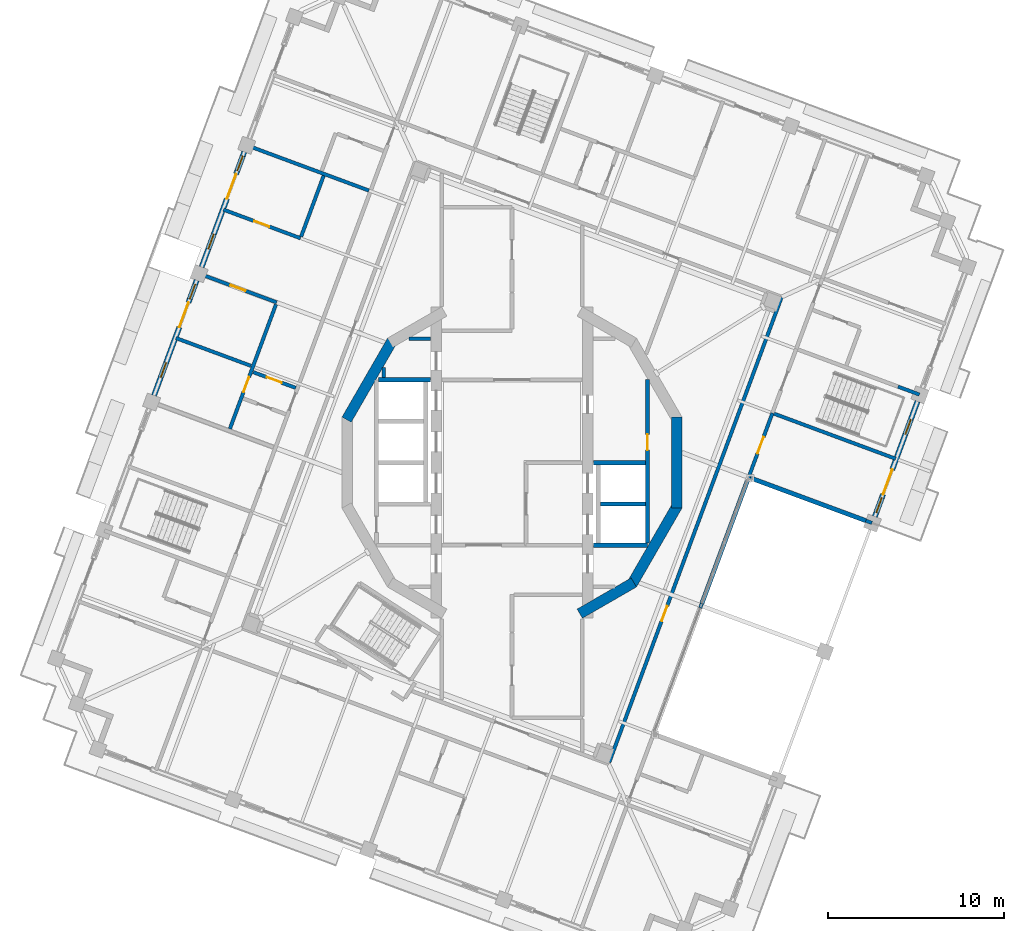
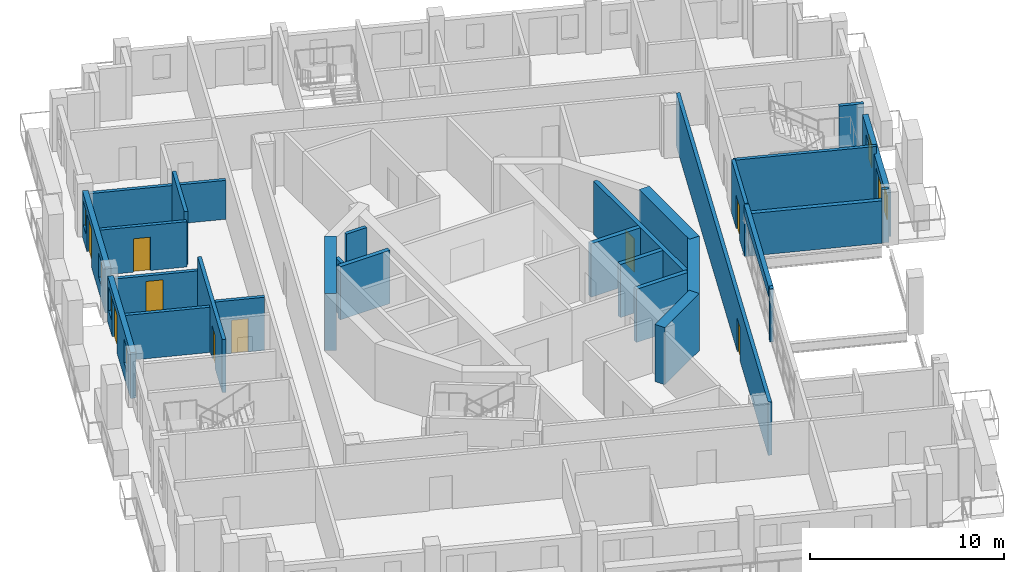
# One storey, part 8 of 19: 29 walls, 10 doors, 6 windows, 16 openings.
"""IFC4 building model written with IfcOpenShell, lengths in metres."""

from ifc_helpers import new_model, si_unit, direction, frame, frame_2d, origin, place, context, subcontext, project, spatial, rectangle, extrude, material, layer, layer_set, type_object, element, fill, save


model = new_model("IFC4")

# Units and contexts
model_context = context("Model", 3, precision=1e-05, world=origin(), true_north=direction((0.0, 1.0)))
body_context = subcontext(model_context, "Body", "Model", "MODEL_VIEW")
ifc_project = project(units=[si_unit("LENGTHUNIT", "METRE"), si_unit("AREAUNIT", "SQUARE_METRE"), si_unit("VOLUMEUNIT", "CUBIC_METRE"), si_unit("PLANEANGLEUNIT", "RADIAN"), si_unit("MASSUNIT", "GRAM", prefix="KILO")], contexts=[model_context])

# Site, building, storey
site_placement = place(None, origin())
site = spatial("IfcSite", under=ifc_project, at=site_placement, CompositionType="ELEMENT")
building_placement = place(site_placement, origin())
building = spatial("IfcBuilding", under=site, at=building_placement, Name="Cantera Rosa Tower", CompositionType="ELEMENT")
storey_placement = place(building_placement, frame((0.0, 0.0, 331.300048828125)))
storey = spatial("IfcBuildingStorey", under=building, at=storey_placement, Name="L74", CompositionType="ELEMENT", Elevation=331.300048828125)

# Wall, opening, door
ifc_material_1 = material(Name="Gypsum board partition")
ifc_layer_1 = layer(ifc_material_1, 0.199951171875)
ifc_layer_set_1 = layer_set([ifc_layer_1], Name="CORRIDOR WALL 200 H3350")
wall_type_1 = type_object("IfcWallType", Name="CORRIDOR WALL 200 H3350", PredefinedType="PARTITIONING", material=ifc_layer_set_1)
wall_1_placement = place(storey_placement, frame((5.526123046875, -17.031494140625, 0.0), z_axis=(0.0, 0.0, 1.0), x_axis=(0.347486069264, 0.937685145274, 0.0)))
wall_1 = element("IfcWall", 1, at=wall_1_placement, inside=storey, type_object=wall_type_1, Name="CORRIDOR WALL L74-085", PredefinedType="PARTITIONING", context=body_context, shape_type="SweptSolid", body=[
    extrude(rectangle(XDim=28.199951171875, YDim=0.199951171875, at=frame_2d((14.10009765625, 0.0))), origin(), (0.0, 0.0, 1.0), 3.349853515625),
])
opening_1_placement = place(wall_1_placement, frame((8.570068359375, 0.0, 0.0)))
opening_1 = element("IfcOpeningElement", 2, at=opening_1_placement, cuts=wall_1, Name="Opening L74-007", PredefinedType="OPENING", context=body_context, shape_type="SweptSolid", body=[
    extrude(rectangle(XDim=0.89990234375, YDim=2.10009765625, at=frame_2d((0.449951171875, 1.050048828125))), frame((0.0, 0.10986328125, 0.0), z_axis=(0.0, -1.0, 0.0), x_axis=(1.0, 0.0, 0.0)), (0.0, 0.0, 1.0), 0.219970703125),
])
ifc_material_2 = material(Name="Timber door leaf", Category="wood")
door_type_1 = type_object("IfcDoorType", Name="SERVICE DOOR 900x2100", OperationType="NOTDEFINED", PredefinedType="DOOR", material=ifc_material_2)
door_1_placement = place(opening_1_placement, origin())
door_1 = element("IfcDoor", 3, at=door_1_placement, inside=storey, type_object=door_type_1, Name="DOOR L74-007", OperationType="NOTDEFINED", OverallHeight=2.10009765625, OverallWidth=0.89990234375, PredefinedType="DOOR", context=body_context, shape_type="SweptSolid", body=[
    extrude(rectangle(XDim=0.89990234375, YDim=2.10009765625, at=frame_2d((0.449951171875, 1.050048828125))), frame((0.0, 0.02490234375, 0.0), z_axis=(0.0, -1.0, 0.0), x_axis=(1.0, 0.0, 0.0)), (0.0, 0.0, 1.0), 0.050048828125),
])
fill(opening_1, door_1)

# Wall
wall_2_placement = place(storey_placement, frame((10.69775390625, -8.256103515625, 0.0), z_axis=(0.0, 0.0, 1.0), x_axis=(0.347639521276, 0.937628264957, 0.0)))
element("IfcWall", 4, at=wall_2_placement, inside=storey, type_object=wall_type_1, Name="CORRIDOR WALL L74-091", PredefinedType="PARTITIONING", context=body_context, shape_type="SweptSolid", body=[
    extrude(rectangle(XDim=0.26904296875, YDim=0.199951171875, at=frame_2d((0.134521484375, 0.0))), origin(), (0.0, 0.0, 1.0), 3.349853515625),
])

# Wall, opening, door
wall_3_placement = place(storey_placement, frame((13.404296875, -0.9521484375, 0.0), z_axis=(0.0, 0.0, 1.0), x_axis=(0.347502485966, 0.937679061432, 0.0)))
wall_3 = element("IfcWall", 5, at=wall_3_placement, inside=storey, type_object=wall_type_1, Name="CORRIDOR WALL L74-092", PredefinedType="PARTITIONING", context=body_context, shape_type="SweptSolid", body=[
    extrude(rectangle(XDim=4.01513671875, YDim=0.199951171875, at=frame_2d((2.007568359375, 0.0))), origin(), (0.0, 0.0, 1.0), 3.349853515625),
])
opening_2_placement = place(wall_3_placement, frame((1.570068359375, 0.0, 0.0)))
opening_2 = element("IfcOpeningElement", 6, at=opening_2_placement, cuts=wall_3, Name="Opening L74-045", PredefinedType="OPENING", context=body_context, shape_type="SweptSolid", body=[
    extrude(rectangle(XDim=1.0, YDim=2.10009765625, at=frame_2d((0.5, 1.050048828125))), frame((0.0, 0.10986328125, 0.0), z_axis=(0.0, -1.0, 0.0), x_axis=(1.0, 0.0, 0.0)), (0.0, 0.0, 1.0), 0.219970703125),
])
ifc_material_3 = material(Name="Timber door leaf", Category="wood")
door_type_2 = type_object("IfcDoorType", Name="ROOM DOOR 1000x2100", OperationType="NOTDEFINED", PredefinedType="DOOR", material=ifc_material_3)
door_2_placement = place(opening_2_placement, origin())
door_2 = element("IfcDoor", 7, at=door_2_placement, inside=storey, type_object=door_type_2, Name="DOOR L74-045", OperationType="NOTDEFINED", OverallHeight=2.10009765625, OverallWidth=1.0, PredefinedType="DOOR", context=body_context, shape_type="SweptSolid", body=[
    extrude(rectangle(XDim=1.0, YDim=2.10009765625, at=frame_2d((0.5, 1.050048828125))), frame((0.0, 0.02490234375, 0.0), z_axis=(0.0, -1.0, 0.0), x_axis=(1.0, 0.0, 0.0)), (0.0, 0.0, 1.0), 0.050048828125),
])
fill(opening_2, door_2)

# Wall, openings, windows, door
ifc_material_4 = material(Name="Hollow clay masonry with cantera stone cladding", Category="masonry")
ifc_layer_2 = layer(ifc_material_4, 0.300048828125)
ifc_layer_set_2 = layer_set([ifc_layer_2], Name="EW-LOGGIA 300 H2890")
wall_type_2 = type_object("IfcWallType", Name="EW-LOGGIA 300 H2890", PredefinedType="SOLIDWALL", material=ifc_layer_set_2)
wall_4_placement = place(storey_placement, frame((-15.212646484375, 17.65625, 0.0), z_axis=(0.0, 0.0, 1.0), x_axis=(-0.347502316452, -0.937679124253, 0.0)))
wall_4 = element("IfcWall", 8, at=wall_4_placement, inside=storey, type_object=wall_type_2, Name="EN-L74-W08", PredefinedType="SOLIDWALL", context=body_context, shape_type="SweptSolid", body=[
    extrude(rectangle(XDim=6.97998046875, YDim=0.300048828125, at=frame_2d((3.489990234375, 0.0))), origin(), (0.0, 0.0, 1.0), 2.889892578125),
])
opening_3_placement = place(wall_4_placement, frame((0.2451171875, 0.0, 0.89990234375)))
opening_3 = element("IfcOpeningElement", 9, at=opening_3_placement, cuts=wall_4, Name="Opening L74-W16", PredefinedType="OPENING", context=body_context, shape_type="SweptSolid", body=[
    extrude(rectangle(XDim=0.89990234375, YDim=1.5, at=frame_2d((0.449951171875, 0.75))), frame((0.0, 0.159912109375, 0.0), z_axis=(0.0, -1.0, 0.0), x_axis=(1.0, 0.0, 0.0)), (0.0, 0.0, 1.0), 0.320068359375),
])
opening_4_placement = place(wall_4_placement, frame((1.344970703125, 0.0, 0.0)))
opening_4 = element("IfcOpeningElement", 10, at=opening_4_placement, cuts=wall_4, Name="Opening L74-TD17", PredefinedType="OPENING", context=body_context, shape_type="SweptSolid", body=[
    extrude(rectangle(XDim=1.5, YDim=2.39990234375, at=frame_2d((0.75, 1.199951171875))), frame((0.0, 0.159912109375, 0.0), z_axis=(0.0, -1.0, 0.0), x_axis=(1.0, 0.0, 0.0)), (0.0, 0.0, 1.0), 0.320068359375),
])
opening_5_placement = place(wall_4_placement, frame((4.985107421875, 0.0, 0.89990234375)))
opening_5 = element("IfcOpeningElement", 11, at=opening_5_placement, cuts=wall_4, Name="Opening L74-W18", PredefinedType="OPENING", context=body_context, shape_type="SweptSolid", body=[
    extrude(rectangle(XDim=0.89990234375, YDim=1.5, at=frame_2d((0.449951171875, 0.75))), frame((0.0, 0.159912109375, 0.0), z_axis=(0.0, -1.0, 0.0), x_axis=(1.0, 0.0, 0.0)), (0.0, 0.0, 1.0), 0.320068359375),
])
ifc_material_5 = material(Name="Aluminium frame with clear glass", Category="aluminium")
window_type = type_object("IfcWindowType", Name="Residential window 900x1500", PartitioningType="SINGLE_PANEL", PredefinedType="WINDOW", material=ifc_material_5)
window_1_placement = place(opening_3_placement, origin())
window_1 = element("IfcWindow", 12, at=window_1_placement, inside=storey, type_object=window_type, Name="WINDOW L74-W16", OverallHeight=1.5, OverallWidth=0.89990234375, PartitioningType="SINGLE_PANEL", PredefinedType="WINDOW", context=body_context, shape_type="SweptSolid", body=[
    extrude(rectangle(XDim=0.89990234375, YDim=1.5, at=frame_2d((0.449951171875, 0.75))), frame((0.0, 0.030029296875, 0.0), z_axis=(0.0, -1.0, 0.0), x_axis=(1.0, 0.0, 0.0)), (0.0, 0.0, 1.0), 0.06005859375),
])
fill(opening_3, window_1)
window_2_placement = place(opening_5_placement, origin())
window_2 = element("IfcWindow", 13, at=window_2_placement, inside=storey, type_object=window_type, Name="WINDOW L74-W18", OverallHeight=1.5, OverallWidth=0.89990234375, PartitioningType="SINGLE_PANEL", PredefinedType="WINDOW", context=body_context, shape_type="SweptSolid", body=[
    extrude(rectangle(XDim=0.89990234375, YDim=1.5, at=frame_2d((0.449951171875, 0.75))), frame((0.0, 0.030029296875, 0.0), z_axis=(0.0, -1.0, 0.0), x_axis=(1.0, 0.0, 0.0)), (0.0, 0.0, 1.0), 0.06005859375),
])
fill(opening_5, window_2)
ifc_material_6 = material(Name="Aluminium frame with clear glass", Category="aluminium")
door_type_3 = type_object("IfcDoorType", Name="TD-R 1500x2400", OperationType="NOTDEFINED", PredefinedType="DOOR", material=ifc_material_6)
door_3_placement = place(opening_4_placement, origin())
door_3 = element("IfcDoor", 14, at=door_3_placement, inside=storey, type_object=door_type_3, Name="LOGGIA DOOR L74-TD17", OperationType="SLIDING_TO_LEFT", OverallHeight=2.39990234375, OverallWidth=1.5, PredefinedType="DOOR", context=body_context, shape_type="SweptSolid", body=[
    extrude(rectangle(XDim=1.5, YDim=2.39990234375, at=frame_2d((0.75, 1.199951171875))), frame((0.0, 0.02490234375, 0.0), z_axis=(0.0, -1.0, 0.0), x_axis=(1.0, 0.0, 0.0)), (0.0, 0.0, 1.0), 0.050048828125),
])
fill(opening_4, door_3)

wall_5_placement = place(storey_placement, frame((-17.916015625, 10.361083984375, 0.0), z_axis=(0.0, 0.0, 1.0), x_axis=(-0.347502316452, -0.937679124253, 0.0)))
wall_5 = element("IfcWall", 15, at=wall_5_placement, inside=storey, type_object=wall_type_2, Name="EN-L74-W09", PredefinedType="SOLIDWALL", context=body_context, shape_type="SweptSolid", body=[
    extrude(rectangle(XDim=6.97998046875, YDim=0.300048828125, at=frame_2d((3.489990234375, 0.0))), origin(), (0.0, 0.0, 1.0), 2.889892578125),
])
opening_6_placement = place(wall_5_placement, frame((0.2451171875, 0.0, 0.89990234375)))
opening_6 = element("IfcOpeningElement", 16, at=opening_6_placement, cuts=wall_5, Name="Opening L74-W19", PredefinedType="OPENING", context=body_context, shape_type="SweptSolid", body=[
    extrude(rectangle(XDim=0.89990234375, YDim=1.5, at=frame_2d((0.449951171875, 0.75))), frame((0.0, 0.159912109375, 0.0), z_axis=(0.0, -1.0, 0.0), x_axis=(1.0, 0.0, 0.0)), (0.0, 0.0, 1.0), 0.320068359375),
])
opening_7_placement = place(wall_5_placement, frame((1.344970703125, 0.0, 0.0)))
opening_7 = element("IfcOpeningElement", 17, at=opening_7_placement, cuts=wall_5, Name="Opening L74-TD20", PredefinedType="OPENING", context=body_context, shape_type="SweptSolid", body=[
    extrude(rectangle(XDim=1.5, YDim=2.39990234375, at=frame_2d((0.75, 1.199951171875))), frame((0.0, 0.159912109375, 0.0), z_axis=(0.0, -1.0, 0.0), x_axis=(1.0, 0.0, 0.0)), (0.0, 0.0, 1.0), 0.320068359375),
])
opening_8_placement = place(wall_5_placement, frame((4.985107421875, 0.0, 0.89990234375)))
opening_8 = element("IfcOpeningElement", 18, at=opening_8_placement, cuts=wall_5, Name="Opening L74-W21", PredefinedType="OPENING", context=body_context, shape_type="SweptSolid", body=[
    extrude(rectangle(XDim=0.89990234375, YDim=1.5, at=frame_2d((0.449951171875, 0.75))), frame((0.0, 0.159912109375, 0.0), z_axis=(0.0, -1.0, 0.0), x_axis=(1.0, 0.0, 0.0)), (0.0, 0.0, 1.0), 0.320068359375),
])
window_3_placement = place(opening_6_placement, origin())
window_3 = element("IfcWindow", 19, at=window_3_placement, inside=storey, type_object=window_type, Name="WINDOW L74-W19", OverallHeight=1.5, OverallWidth=0.89990234375, PartitioningType="SINGLE_PANEL", PredefinedType="WINDOW", context=body_context, shape_type="SweptSolid", body=[
    extrude(rectangle(XDim=0.89990234375, YDim=1.5, at=frame_2d((0.449951171875, 0.75))), frame((0.0, 0.030029296875, 0.0), z_axis=(0.0, -1.0, 0.0), x_axis=(1.0, 0.0, 0.0)), (0.0, 0.0, 1.0), 0.06005859375),
])
fill(opening_6, window_3)
window_4_placement = place(opening_8_placement, origin())
window_4 = element("IfcWindow", 20, at=window_4_placement, inside=storey, type_object=window_type, Name="WINDOW L74-W21", OverallHeight=1.5, OverallWidth=0.89990234375, PartitioningType="SINGLE_PANEL", PredefinedType="WINDOW", context=body_context, shape_type="SweptSolid", body=[
    extrude(rectangle(XDim=0.89990234375, YDim=1.5, at=frame_2d((0.449951171875, 0.75))), frame((0.0, 0.030029296875, 0.0), z_axis=(0.0, -1.0, 0.0), x_axis=(1.0, 0.0, 0.0)), (0.0, 0.0, 1.0), 0.06005859375),
])
fill(opening_8, window_4)
door_4_placement = place(opening_7_placement, origin())
door_4 = element("IfcDoor", 21, at=door_4_placement, inside=storey, type_object=door_type_3, Name="LOGGIA DOOR L74-TD20", OperationType="SLIDING_TO_LEFT", OverallHeight=2.39990234375, OverallWidth=1.5, PredefinedType="DOOR", context=body_context, shape_type="SweptSolid", body=[
    extrude(rectangle(XDim=1.5, YDim=2.39990234375, at=frame_2d((0.75, 1.199951171875))), frame((0.0, 0.02490234375, 0.0), z_axis=(0.0, -1.0, 0.0), x_axis=(1.0, 0.0, 0.0)), (0.0, 0.0, 1.0), 0.050048828125),
])
fill(opening_7, door_4)

wall_6_placement = place(storey_placement, frame((20.61962890625, -3.06591796875, 0.0), z_axis=(0.0, 0.0, 1.0), x_axis=(0.347471562124, 0.937690521182, 0.0)))
wall_6 = element("IfcWall", 22, at=wall_6_placement, inside=storey, type_object=wall_type_2, Name="EN-L74-W23", PredefinedType="SOLIDWALL", context=body_context, shape_type="SweptSolid", body=[
    extrude(rectangle(XDim=6.979736328125, YDim=0.300048828125, at=frame_2d((3.48974609375, 0.0))), origin(), (0.0, 0.0, 1.0), 2.889892578125),
])
opening_9_placement = place(wall_6_placement, frame((0.2451171875, 0.0, 0.89990234375)))
opening_9 = element("IfcOpeningElement", 23, at=opening_9_placement, cuts=wall_6, Name="Opening L74-W43", PredefinedType="OPENING", context=body_context, shape_type="SweptSolid", body=[
    extrude(rectangle(XDim=0.89990234375, YDim=1.5, at=frame_2d((0.449951171875, 0.75))), frame((0.0, 0.159912109375, 0.0), z_axis=(0.0, -1.0, 0.0), x_axis=(1.0, 0.0, 0.0)), (0.0, 0.0, 1.0), 0.320068359375),
])
opening_10_placement = place(wall_6_placement, frame((1.344970703125, 0.0, 0.0)))
opening_10 = element("IfcOpeningElement", 24, at=opening_10_placement, cuts=wall_6, Name="Opening L74-TD44", PredefinedType="OPENING", context=body_context, shape_type="SweptSolid", body=[
    extrude(rectangle(XDim=1.5, YDim=2.39990234375, at=frame_2d((0.75, 1.199951171875))), frame((0.0, 0.159912109375, 0.0), z_axis=(0.0, -1.0, 0.0), x_axis=(1.0, 0.0, 0.0)), (0.0, 0.0, 1.0), 0.320068359375),
])
opening_11_placement = place(wall_6_placement, frame((4.985107421875, 0.0, 0.89990234375)))
opening_11 = element("IfcOpeningElement", 25, at=opening_11_placement, cuts=wall_6, Name="Opening L74-W45", PredefinedType="OPENING", context=body_context, shape_type="SweptSolid", body=[
    extrude(rectangle(XDim=0.89990234375, YDim=1.5, at=frame_2d((0.449951171875, 0.75))), frame((0.0, 0.159912109375, 0.0), z_axis=(0.0, -1.0, 0.0), x_axis=(1.0, 0.0, 0.0)), (0.0, 0.0, 1.0), 0.320068359375),
])
window_5_placement = place(opening_9_placement, origin())
window_5 = element("IfcWindow", 26, at=window_5_placement, inside=storey, type_object=window_type, Name="WINDOW L74-W43", OverallHeight=1.5, OverallWidth=0.89990234375, PartitioningType="SINGLE_PANEL", PredefinedType="WINDOW", context=body_context, shape_type="SweptSolid", body=[
    extrude(rectangle(XDim=0.89990234375, YDim=1.5, at=frame_2d((0.449951171875, 0.75))), frame((0.0, 0.030029296875, 0.0), z_axis=(0.0, -1.0, 0.0), x_axis=(1.0, 0.0, 0.0)), (0.0, 0.0, 1.0), 0.06005859375),
])
fill(opening_9, window_5)
window_6_placement = place(opening_11_placement, origin())
window_6 = element("IfcWindow", 27, at=window_6_placement, inside=storey, type_object=window_type, Name="WINDOW L74-W45", OverallHeight=1.5, OverallWidth=0.89990234375, PartitioningType="SINGLE_PANEL", PredefinedType="WINDOW", context=body_context, shape_type="SweptSolid", body=[
    extrude(rectangle(XDim=0.89990234375, YDim=1.5, at=frame_2d((0.449951171875, 0.75))), frame((0.0, 0.030029296875, 0.0), z_axis=(0.0, -1.0, 0.0), x_axis=(1.0, 0.0, 0.0)), (0.0, 0.0, 1.0), 0.06005859375),
])
fill(opening_11, window_6)
door_5_placement = place(opening_10_placement, origin())
door_5 = element("IfcDoor", 28, at=door_5_placement, inside=storey, type_object=door_type_3, Name="LOGGIA DOOR L74-TD44", OperationType="SLIDING_TO_LEFT", OverallHeight=2.39990234375, OverallWidth=1.5, PredefinedType="DOOR", context=body_context, shape_type="SweptSolid", body=[
    extrude(rectangle(XDim=1.5, YDim=2.39990234375, at=frame_2d((0.75, 1.199951171875))), frame((0.0, 0.02490234375, 0.0), z_axis=(0.0, -1.0, 0.0), x_axis=(1.0, 0.0, 0.0)), (0.0, 0.0, 1.0), 0.050048828125),
])
fill(opening_10, door_5)

# Walls
ifc_material_7 = material(Name="Concrete C40/50", Category="concrete")
ifc_layer_3 = layer(ifc_material_7, 0.25)
ifc_layer_set_3 = layer_set([ifc_layer_3], Name="EW-POCKET CHEEK 250 H2670")
wall_type_3 = type_object("IfcWallType", Name="EW-POCKET CHEEK 250 H2670", PredefinedType="SOLIDWALL", material=ifc_layer_set_3)
wall_7_placement = place(storey_placement, frame((20.10546875, -3.302001953125, 0.0), z_axis=(0.0, 0.0, 1.0), x_axis=(-0.937685216413, 0.347485877297, 0.0)))
element("IfcWall", 29, at=wall_7_placement, inside=storey, type_object=wall_type_3, Name="POCKET CHEEK B L74", PredefinedType="SOLIDWALL", context=body_context, shape_type="SweptSolid", body=[
    extrude(rectangle(XDim=7.0, YDim=0.25, at=frame_2d((3.5, 0.0))), origin(), (0.0, 0.0, 1.0), 2.669921875),
])
ifc_material_8 = material(Name="Hollow clay masonry with cantera stone cladding", Category="masonry")
ifc_layer_4 = layer(ifc_material_8, 0.25)
ifc_layer_set_4 = layer_set([ifc_layer_4], Name="EW-POCKET REAR 250")
wall_type_4 = type_object("IfcWallType", Name="EW-POCKET REAR 250", PredefinedType="SOLIDWALL", material=ifc_layer_set_4)
wall_8_placement = place(storey_placement, frame((10.791259765625, -8.00390625, 2.657958984375), z_axis=(0.0, 0.0, 1.0), x_axis=(0.347491979955, 0.937682954877, 0.0)))
element("IfcWall", 30, at=wall_8_placement, inside=storey, type_object=wall_type_4, Name="POCKET SPANDREL L74-2", PredefinedType="SOLIDWALL", context=body_context, shape_type="SweptSolid", body=[
    extrude(rectangle(XDim=7.5205078125, YDim=0.25, at=frame_2d((3.76025390625, 0.0))), origin(), (0.0, 0.0, 1.0), 0.64208984375),
])

# Wall, opening, door
ifc_material_9 = material(Name="Gypsum board partition")
ifc_layer_5 = layer(ifc_material_9, 0.199951171875)
ifc_layer_set_5 = layer_set([ifc_layer_5], Name="PARTITION 200 H2450")
wall_type_5 = type_object("IfcWallType", Name="PARTITION 200 H2450", PredefinedType="PARTITIONING", material=ifc_layer_set_5)
wall_9_placement = place(storey_placement, frame((-17.7490234375, 10.725830078125, 0.0), z_axis=(0.0, 0.0, 1.0), x_axis=(0.937680003703, -0.347499943388, 0.0)))
wall_9 = element("IfcWall", 31, at=wall_9_placement, inside=storey, type_object=wall_type_5, Name="PARTITION L74-005", PredefinedType="PARTITIONING", context=body_context, shape_type="SweptSolid", body=[
    extrude(rectangle(XDim=4.669921875, YDim=0.199951171875, at=frame_2d((2.3349609375, 0.0))), origin(), (0.0, 0.0, 1.0), 2.449951171875),
])
opening_12_placement = place(wall_9_placement, frame((1.8701171875, 0.0, 0.0)))
opening_12 = element("IfcOpeningElement", 32, at=opening_12_placement, cuts=wall_9, Name="Opening L74-032", PredefinedType="OPENING", context=body_context, shape_type="SweptSolid", body=[
    extrude(rectangle(XDim=0.89990234375, YDim=2.10009765625, at=frame_2d((0.449951171875, 1.050048828125))), frame((0.0, 0.10986328125, 0.0), z_axis=(0.0, -1.0, 0.0), x_axis=(1.0, 0.0, 0.0)), (0.0, 0.0, 1.0), 0.219970703125),
])
ifc_material_10 = material(Name="Timber door leaf", Category="wood")
door_type_4 = type_object("IfcDoorType", Name="ROOM DOOR 900x2100", OperationType="NOTDEFINED", PredefinedType="DOOR", material=ifc_material_10)
door_6_placement = place(opening_12_placement, origin())
door_6 = element("IfcDoor", 33, at=door_6_placement, inside=storey, type_object=door_type_4, Name="DOOR L74-032", OperationType="NOTDEFINED", OverallHeight=2.10009765625, OverallWidth=0.89990234375, PredefinedType="DOOR", context=body_context, shape_type="SweptSolid", body=[
    extrude(rectangle(XDim=0.89990234375, YDim=2.10009765625, at=frame_2d((0.449951171875, 1.050048828125))), frame((0.0, 0.02490234375, 0.0), z_axis=(0.0, -1.0, 0.0), x_axis=(1.0, 0.0, 0.0)), (0.0, 0.0, 1.0), 0.050048828125),
])
fill(opening_12, door_6)

# Wall
ifc_material_11 = material(Name="Gypsum board partition")
ifc_layer_6 = layer(ifc_material_11, 0.199951171875)
ifc_layer_set_6 = layer_set([ifc_layer_6], Name="PARTITION 200 H2850")
wall_type_6 = type_object("IfcWallType", Name="PARTITION 200 H2850", PredefinedType="PARTITIONING", material=ifc_layer_set_6)
wall_10_placement = place(storey_placement, frame((-19.1005859375, 7.078125, 0.0), z_axis=(0.0, 0.0, 1.0), x_axis=(0.937700205551, -0.347445426663, 0.0)))
element("IfcWall", 34, at=wall_10_placement, inside=storey, type_object=wall_type_6, Name="PARTITION L74-004", PredefinedType="PARTITIONING", context=body_context, shape_type="SweptSolid", body=[
    extrude(rectangle(XDim=4.5498046875, YDim=0.199951171875, at=frame_2d((2.27490234375, 0.0))), origin(), (0.0, 0.0, 1.0), 2.849853515625),
])

# Wall, opening, door
wall_11_placement = place(storey_placement, frame((-16.397216796875, 14.373291015625, 0.0), z_axis=(0.0, 0.0, 1.0), x_axis=(0.937697037741, -0.347453975961, 0.0)))
wall_11 = element("IfcWall", 35, at=wall_11_placement, inside=storey, type_object=wall_type_6, Name="PARTITION L74-009", PredefinedType="PARTITIONING", context=body_context, shape_type="SweptSolid", body=[
    extrude(rectangle(XDim=4.669921875, YDim=0.199951171875, at=frame_2d((2.3349609375, 0.0))), origin(), (0.0, 0.0, 1.0), 2.849853515625),
])
opening_13_placement = place(wall_11_placement, frame((1.8701171875, 0.0, 0.0)))
opening_13 = element("IfcOpeningElement", 36, at=opening_13_placement, cuts=wall_11, Name="Opening L74-033", PredefinedType="OPENING", context=body_context, shape_type="SweptSolid", body=[
    extrude(rectangle(XDim=0.89990234375, YDim=2.10009765625, at=frame_2d((0.449951171875, 1.050048828125))), frame((0.0, 0.10986328125, 0.0), z_axis=(0.0, -1.0, 0.0), x_axis=(1.0, 0.0, 0.0)), (0.0, 0.0, 1.0), 0.219970703125),
])
door_7_placement = place(opening_13_placement, origin())
door_7 = element("IfcDoor", 37, at=door_7_placement, inside=storey, type_object=door_type_4, Name="DOOR L74-033", OperationType="NOTDEFINED", OverallHeight=2.10009765625, OverallWidth=0.89990234375, PredefinedType="DOOR", context=body_context, shape_type="SweptSolid", body=[
    extrude(rectangle(XDim=0.89990234375, YDim=2.10009765625, at=frame_2d((0.449951171875, 1.050048828125))), frame((0.0, 0.02490234375, 0.0), z_axis=(0.0, -1.0, 0.0), x_axis=(1.0, 0.0, 0.0)), (0.0, 0.0, 1.0), 0.050048828125),
])
fill(opening_13, door_7)

ifc_material_12 = material(Name="Gypsum board partition")
ifc_layer_7 = layer(ifc_material_12, 0.199951171875)
ifc_layer_set_7 = layer_set([ifc_layer_7], Name="PARTITION 200 H3350")
wall_type_7 = type_object("IfcWallType", Name="PARTITION 200 H3350", PredefinedType="PARTITIONING", material=ifc_layer_set_7)
wall_12_placement = place(storey_placement, frame((-14.7099609375, 5.141845703125, 0.0), z_axis=(0.0, 0.0, 1.0), x_axis=(0.937687105286, -0.34748078016, 0.0)))
wall_12 = element("IfcWall", 38, at=wall_12_placement, inside=storey, type_object=wall_type_7, Name="PARTITION L74-015", PredefinedType="PARTITIONING", context=body_context, shape_type="SweptSolid", body=[
    extrude(rectangle(XDim=2.579833984375, YDim=0.199951171875, at=frame_2d((1.2900390625, 0.0))), origin(), (0.0, 0.0, 1.0), 3.349853515625),
])
opening_14_placement = place(wall_12_placement, frame((0.830078125, 0.0, 0.0)))
opening_14 = element("IfcOpeningElement", 39, at=opening_14_placement, cuts=wall_12, Name="Opening L74-030", PredefinedType="OPENING", context=body_context, shape_type="SweptSolid", body=[
    extrude(rectangle(XDim=0.89990234375, YDim=2.10009765625, at=frame_2d((0.449951171875, 1.050048828125))), frame((0.0, 0.10986328125, 0.0), z_axis=(0.0, -1.0, 0.0), x_axis=(1.0, 0.0, 0.0)), (0.0, 0.0, 1.0), 0.219970703125),
])
door_8_placement = place(opening_14_placement, origin())
door_8 = element("IfcDoor", 40, at=door_8_placement, inside=storey, type_object=door_type_4, Name="DOOR L74-030", OperationType="NOTDEFINED", OverallHeight=2.10009765625, OverallWidth=0.89990234375, PredefinedType="DOOR", context=body_context, shape_type="SweptSolid", body=[
    extrude(rectangle(XDim=0.89990234375, YDim=2.10009765625, at=frame_2d((0.449951171875, 1.050048828125))), frame((0.0, 0.02490234375, 0.0), z_axis=(0.0, -1.0, 0.0), x_axis=(1.0, 0.0, 0.0)), (0.0, 0.0, 1.0), 0.050048828125),
])
fill(opening_14, door_8)

wall_13_placement = place(storey_placement, frame((-13.41162109375, 8.990478515625, 0.0), z_axis=(0.0, 0.0, 1.0), x_axis=(-0.347497846583, -0.937680780767, 0.0)))
wall_13 = element("IfcWall", 41, at=wall_13_placement, inside=storey, type_object=wall_type_7, Name="PARTITION L74-020", PredefinedType="PARTITIONING", context=body_context, shape_type="SweptSolid", body=[
    extrude(rectangle(XDim=7.5400390625, YDim=0.199951171875, at=frame_2d((3.77001953125, 0.0))), origin(), (0.0, 0.0, 1.0), 3.349853515625),
])
opening_15_placement = place(wall_13_placement, frame((4.409912109375, 0.0, 0.0)))
opening_15 = element("IfcOpeningElement", 42, at=opening_15_placement, cuts=wall_13, Name="Opening L74-031", PredefinedType="OPENING", context=body_context, shape_type="SweptSolid", body=[
    extrude(rectangle(XDim=0.89990234375, YDim=2.10009765625, at=frame_2d((0.449951171875, 1.050048828125))), frame((0.0, 0.10986328125, 0.0), z_axis=(0.0, -1.0, 0.0), x_axis=(1.0, 0.0, 0.0)), (0.0, 0.0, 1.0), 0.219970703125),
])
door_9_placement = place(opening_15_placement, origin())
door_9 = element("IfcDoor", 43, at=door_9_placement, inside=storey, type_object=door_type_4, Name="DOOR L74-031", OperationType="NOTDEFINED", OverallHeight=2.10009765625, OverallWidth=0.89990234375, PredefinedType="DOOR", context=body_context, shape_type="SweptSolid", body=[
    extrude(rectangle(XDim=0.89990234375, YDim=2.10009765625, at=frame_2d((0.449951171875, 1.050048828125))), frame((0.0, 0.02490234375, 0.0), z_axis=(0.0, -1.0, 0.0), x_axis=(1.0, 0.0, 0.0)), (0.0, 0.0, 1.0), 0.050048828125),
])
fill(opening_15, door_9)

# Walls
wall_14_placement = place(storey_placement, frame((-11.9833984375, 12.844482421875, 0.0), z_axis=(0.0, 0.0, 1.0), x_axis=(0.347437186781, 0.937703258628, 0.0)))
element("IfcWall", 44, at=wall_14_placement, inside=storey, type_object=wall_type_7, Name="PARTITION L74-021", PredefinedType="PARTITIONING", context=body_context, shape_type="SweptSolid", body=[
    extrude(rectangle(XDim=3.68994140625, YDim=0.199951171875, at=frame_2d((1.844970703125, 0.0))), origin(), (0.0, 0.0, 1.0), 3.349853515625),
])
wall_15_placement = place(storey_placement, frame((-7.300048828125, 4.824951171875, 0.0), z_axis=(0.0, 0.0, 1.0), x_axis=(0.0, 1.0, 0.0)))
element("IfcWall", 45, at=wall_15_placement, inside=storey, type_object=wall_type_7, Name="PARTITION L74-035", PredefinedType="PARTITIONING", context=body_context, shape_type="SweptSolid", body=[
    extrude(rectangle(XDim=0.589599609375, YDim=0.199951171875, at=frame_2d((0.294921875, 0.0))), origin(), (0.0, 0.0, 1.0), 3.349853515625),
])
wall_16_placement = place(storey_placement, frame((-5.84765625, 7.050048828125, 0.0), z_axis=(0.0, 0.0, 1.0), x_axis=(1.0, 0.0, 0.0)))
element("IfcWall", 46, at=wall_16_placement, inside=storey, type_object=wall_type_7, Name="PARTITION L74-040", PredefinedType="PARTITIONING", context=body_context, shape_type="SweptSolid", body=[
    extrude(rectangle(XDim=1.2177734375, YDim=0.199951171875, at=frame_2d((0.60888671875, 0.0))), origin(), (0.0, 0.0, 1.0), 3.349853515625),
])
wall_17_placement = place(storey_placement, frame((20.452392578125, -3.4306640625, 0.0), z_axis=(0.0, 0.0, 1.0), x_axis=(-0.937597447594, 0.347722628348, 0.0)))
element("IfcWall", 47, at=wall_17_placement, inside=storey, type_object=wall_type_7, Name="PARTITION L74-114", PredefinedType="PARTITIONING", context=body_context, shape_type="SweptSolid", body=[
    extrude(rectangle(XDim=0.3701171875, YDim=0.199951171875, at=frame_2d((0.18505859375, 0.0))), origin(), (0.0, 0.0, 1.0), 3.349853515625),
])
ifc_material_13 = material(Name="Gypsum board partition")
ifc_layer_8 = layer(ifc_material_13, 0.199951171875)
ifc_layer_set_8 = layer_set([ifc_layer_8], Name="PARTY WALL 200 H2450")
wall_type_8 = type_object("IfcWallType", Name="PARTY WALL 200 H2450", PredefinedType="PARTITIONING", material=ifc_layer_set_8)
wall_18_placement = place(storey_placement, frame((-15.045654296875, 18.02099609375, 0.0), z_axis=(0.0, 0.0, 1.0), x_axis=(0.937695604411, -0.347457844161, 0.0)))
element("IfcWall", 48, at=wall_18_placement, inside=storey, type_object=wall_type_8, Name="PARTY WALL L74-014", PredefinedType="PARTITIONING", context=body_context, shape_type="SweptSolid", body=[
    extrude(rectangle(XDim=7.3701171875, YDim=0.199951171875, at=frame_2d((3.68505859375, 0.0))), origin(), (0.0, 0.0, 1.0), 2.449951171875),
])
ifc_material_14 = material(Name="Concrete C50/60", Category="concrete")
ifc_layer_9 = layer(ifc_material_14, 0.60009765625)
ifc_layer_set_9 = layer_set([ifc_layer_9], Name="RC CORE WALL 600 C50/60")
wall_type_9 = type_object("IfcWallType", Name="RC CORE WALL 600 C50/60", PredefinedType="SHEAR", material=ifc_layer_set_9)
for number, where, z_axis, x_axis, name in (
    (49, (-9.3994140625, 2.438232421875, 0.0), (0.0, 0.0, 1.0), (0.499989188378, 0.866031645787, 0.0), "CW-W4 L74"),
    (50, (9.359375, 2.588134765625, 0.0), (0.0, 0.0, 1.0), (0.0, -1.0, 0.0), "CW-E3 L74"),
    (51, (9.3994140625, -2.438232421875, 0.0), (0.0, 0.0, 1.0), (-0.499989188378, -0.866031645787, 0.0), "CW-E4 L74"),
):
    element("IfcWall", number, at=place(storey_placement, frame(where, z_axis=z_axis, x_axis=x_axis)), inside=storey, type_object=wall_type_9, Name=name, PredefinedType="SHEAR", context=body_context, shape_type="SweptSolid", body=[
        extrude(rectangle(XDim=5.17626953125, YDim=0.60009765625, at=frame_2d((2.588134765625, 0.0))), origin(), (0.0, 0.0, 1.0), 3.599853515625),
    ])
wall_19_placement = place(storey_placement, frame((6.921142578125, -6.811279296875, 0.0), z_axis=(0.0, 0.0, 1.0), x_axis=(-0.866039982607, -0.499974747889, 0.0)))
element("IfcWall", 52, at=wall_19_placement, inside=storey, type_object=wall_type_9, Name="CW-E5 L74", PredefinedType="SHEAR", context=body_context, shape_type="SweptSolid", body=[
    extrude(rectangle(XDim=3.546142578125, YDim=0.60009765625, at=frame_2d((1.77294921875, 0.0))), origin(), (0.0, 0.0, 1.0), 3.599853515625),
])
ifc_material_15 = material(Name="Masonry blockwork", Category="masonry")
ifc_layer_10 = layer(ifc_material_15, 0.25)
ifc_layer_set_10 = layer_set([ifc_layer_10], Name="SHAFT WALL 250 H3350")
wall_type_10 = type_object("IfcWallType", Name="SHAFT WALL 250 H3350", PredefinedType="SOLIDWALL", material=ifc_layer_set_10)
wall_20_placement = place(storey_placement, frame((-7.580078125, 4.699951171875, 0.0), z_axis=(0.0, 0.0, 1.0), x_axis=(1.0, 0.0, 0.0)))
element("IfcWall", 53, at=wall_20_placement, inside=storey, type_object=wall_type_10, Name="SHAFT WALL L74-034", PredefinedType="SOLIDWALL", context=body_context, shape_type="SweptSolid", body=[
    extrude(rectangle(XDim=2.9501953125, YDim=0.25, at=frame_2d((1.47509765625, 0.0))), origin(), (0.0, 0.0, 1.0), 3.349853515625),
])
wall_21_placement = place(storey_placement, frame((4.6298828125, 0.0, 0.0), z_axis=(0.0, 0.0, 1.0), x_axis=(1.0, 0.0, 0.0)))
element("IfcWall", 54, at=wall_21_placement, inside=storey, type_object=wall_type_10, Name="SHAFT WALL L74-081", PredefinedType="SOLIDWALL", context=body_context, shape_type="SweptSolid", body=[
    extrude(rectangle(XDim=2.945068359375, YDim=0.25, at=frame_2d((1.47265625, 0.0))), origin(), (0.0, 0.0, 1.0), 3.349853515625),
])
wall_22_placement = place(storey_placement, frame((7.699951171875, -4.699951171875, 0.0), z_axis=(0.0, 0.0, 1.0), x_axis=(-1.0, 0.0, 0.0)))
element("IfcWall", 55, at=wall_22_placement, inside=storey, type_object=wall_type_10, Name="SHAFT WALL L74-094", PredefinedType="SOLIDWALL", context=body_context, shape_type="SweptSolid", body=[
    extrude(rectangle(XDim=3.070068359375, YDim=0.25, at=frame_2d((1.53515625, 0.0))), origin(), (0.0, 0.0, 1.0), 3.349853515625),
])

# Wall, opening, door
wall_23_placement = place(storey_placement, frame((7.699951171875, -4.580078125, 0.0), z_axis=(0.0, 0.0, 1.0), x_axis=(0.0, 1.0, 0.0)))
wall_23 = element("IfcWall", 56, at=wall_23_placement, inside=storey, type_object=wall_type_10, Name="SHAFT WALL L74-095", PredefinedType="SOLIDWALL", context=body_context, shape_type="SweptSolid", body=[
    extrude(rectangle(XDim=9.3017578125, YDim=0.25, at=frame_2d((4.65087890625, 0.0))), origin(), (0.0, 0.0, 1.0), 3.349853515625),
])
opening_16_placement = place(wall_23_placement, frame((5.2900390625, 0.0, 0.0)))
opening_16 = element("IfcOpeningElement", 57, at=opening_16_placement, cuts=wall_23, Name="Opening L74-053", PredefinedType="OPENING", context=body_context, shape_type="SweptSolid", body=[
    extrude(rectangle(XDim=0.89990234375, YDim=2.10009765625, at=frame_2d((0.449951171875, 1.050048828125))), frame((0.0, 0.135009765625, 0.0), z_axis=(0.0, -1.0, 0.0), x_axis=(1.0, 0.0, 0.0)), (0.0, 0.0, 1.0), 0.27001953125),
])
door_10_placement = place(opening_16_placement, origin())
door_10 = element("IfcDoor", 58, at=door_10_placement, inside=storey, type_object=door_type_1, Name="RISER DOOR L74-053", OperationType="NOTDEFINED", OverallHeight=2.10009765625, OverallWidth=0.89990234375, PredefinedType="DOOR", context=body_context, shape_type="SweptSolid", body=[
    extrude(rectangle(XDim=0.89990234375, YDim=2.10009765625, at=frame_2d((0.449951171875, 1.050048828125))), frame((0.0, 0.02490234375, 0.0), z_axis=(0.0, -1.0, 0.0), x_axis=(1.0, 0.0, 0.0)), (0.0, 0.0, 1.0), 0.050048828125),
])
fill(opening_16, door_10)

# Walls
wall_24_placement = place(storey_placement, frame((7.574951171875, -2.35009765625, 0.0), z_axis=(0.0, 0.0, 1.0), x_axis=(-1.0, 0.0, 0.0)))
element("IfcWall", 59, at=wall_24_placement, inside=storey, type_object=wall_type_10, Name="SHAFT WALL L74-096", PredefinedType="SOLIDWALL", context=body_context, shape_type="SweptSolid", body=[
    extrude(rectangle(XDim=2.554931640625, YDim=0.25, at=frame_2d((1.27734375, 0.0))), origin(), (0.0, 0.0, 1.0), 3.349853515625),
])
ifc_material_16 = material(Name="Concrete C50/60", Category="concrete")
ifc_layer_11 = layer(ifc_material_16, 0.199951171875)
ifc_layer_set_11 = layer_set([ifc_layer_11], Name="STAIR WALL 200 H3350")
wall_type_11 = type_object("IfcWallType", Name="STAIR WALL 200 H3350", PredefinedType="SOLIDWALL", material=ifc_layer_set_11)
wall_25_placement = place(storey_placement, frame((14.799560546875, 2.812744140625, 0.0), z_axis=(0.0, 0.0, 1.0), x_axis=(0.93768803379, -0.347478274555, 0.0)))
element("IfcWall", 60, at=wall_25_placement, inside=storey, type_object=wall_type_11, Name="STAIR WALL L74-104", PredefinedType="SOLIDWALL", context=body_context, shape_type="SweptSolid", body=[
    extrude(rectangle(XDim=7.47021484375, YDim=0.199951171875, at=frame_2d((3.735107421875, 0.0))), origin(), (0.0, 0.0, 1.0), 3.349853515625),
])
wall_26_placement = place(storey_placement, frame((23.15576171875, 3.864501953125, 0.0), z_axis=(0.0, 0.0, 1.0), x_axis=(-0.937642248704, 0.347601802994, 0.0)))
element("IfcWall", 61, at=wall_26_placement, inside=storey, type_object=wall_type_11, Name="STAIR WALL L74-115", PredefinedType="SOLIDWALL", context=body_context, shape_type="SweptSolid", body=[
    extrude(rectangle(XDim=1.300048828125, YDim=0.199951171875, at=frame_2d((0.64990234375, 0.0))), origin(), (0.0, 0.0, 1.0), 3.349853515625),
])

save(model, "model.ifc")
